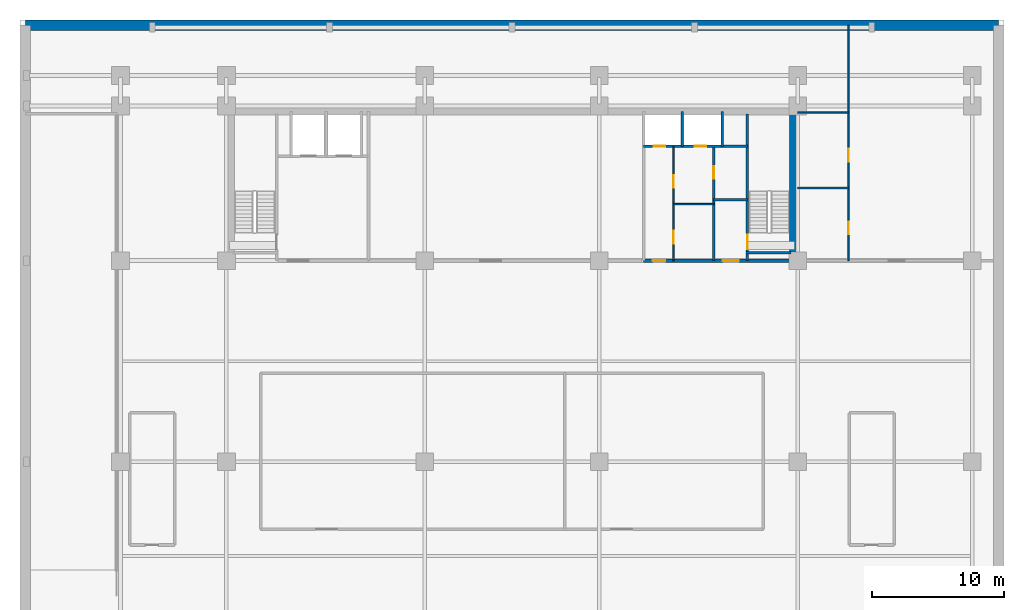
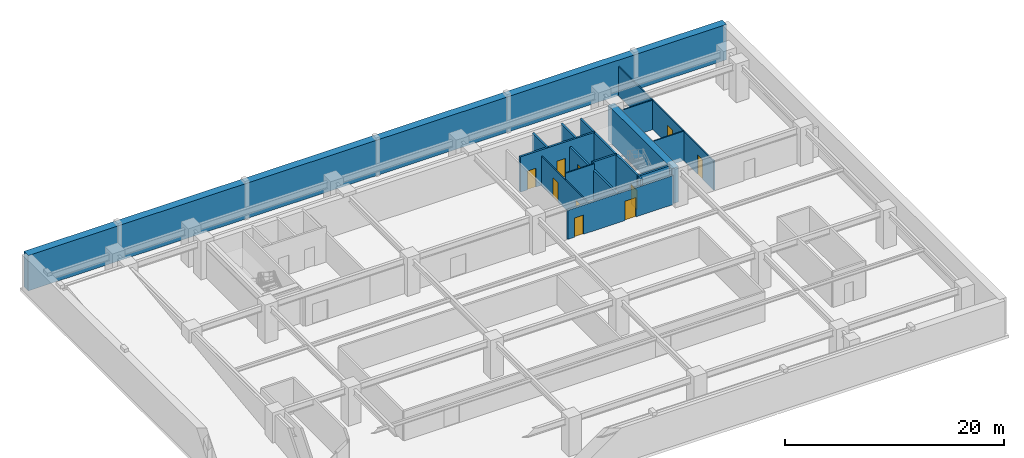
# One storey, part 5 of 8: 15 walls, 10 doors, 10 openings.
"""IFC4 building model written with IfcOpenShell, lengths in metres."""

from ifc_helpers import new_model, si_unit, direction, frame, frame_2d, origin, place, context, subcontext, project, spatial, rectangle, extrude, source, transform, mapped, material, layer, layer_set, type_object, element, fill, save


model = new_model("IFC4")

# Units and contexts
model_context = context("Model", 3, precision=1e-05, world=origin(), true_north=direction((0.0, 1.0)))
body_context = subcontext(model_context, "Body", "Model", "MODEL_VIEW")
ifc_project = project(units=[si_unit("LENGTHUNIT", "METRE"), si_unit("AREAUNIT", "SQUARE_METRE"), si_unit("VOLUMEUNIT", "CUBIC_METRE"), si_unit("PLANEANGLEUNIT", "RADIAN"), si_unit("MASSUNIT", "GRAM", prefix="KILO")], contexts=[model_context])

# Site, building, storey
site_placement = place(None, origin())
site = spatial("IfcSite", under=ifc_project, at=site_placement, CompositionType="ELEMENT")
building_placement = place(site_placement, origin())
building = spatial("IfcBuilding", under=site, at=building_placement, Name="Trelvane Seafront Commons", CompositionType="ELEMENT")
storey_placement = place(building_placement, frame((0.0, 0.0, -4.300048828125)))
storey = spatial("IfcBuildingStorey", under=building, at=storey_placement, Name="B01", CompositionType="ELEMENT", Elevation=-4.300048828125)

# Wall, opening, door
ifc_material_1 = material(Name="Concrete C40/50", Category="concrete")
ifc_layer_1 = layer(ifc_material_1, 0.199951171875, Name="ARCH-WALL-FIRE200")
ifc_layer_set_1 = layer_set([ifc_layer_1], Name="Concrete C40/50")
wall_type_1 = type_object("IfcWallType", Name="ARCH-WALL-FIRE200", PredefinedType="PARTITIONING", material=ifc_layer_set_1)
wall_1_placement = place(storey_placement, frame((52.449951171875, 33.39990234375, 0.0), z_axis=(0.0, 0.0, 1.0), x_axis=(0.0, 1.0, 0.0)))
wall_1 = element("IfcWall", 1, at=wall_1_placement, inside=storey, type_object=wall_type_1, Name="W-B01-ST2V-W-027", PredefinedType="PARTITIONING", context=body_context, shape_type="SweptSolid", body=[
    extrude(rectangle(XDim=8.650146484375, YDim=0.199951171875, at=frame_2d((4.3251953125, 0.0))), origin(), (0.0, 0.0, 1.0), 3.239990234375),
])
opening_1_placement = place(wall_1_placement, frame((6.199951171875, 0.0, 0.0)))
opening_1 = element("IfcOpeningElement", 2, at=opening_1_placement, cuts=wall_1, Name="Opening FD-B01-11", PredefinedType="OPENING", context=body_context, shape_type="SweptSolid", body=[
    extrude(rectangle(XDim=0.949951171875, YDim=2.14990234375, at=frame_2d((0.47509765625, 1.074951171875))), frame((0.0, 0.10986328125, 0.0), z_axis=(0.0, -1.0, 0.0), x_axis=(1.0, 0.0, 0.0)), (0.0, 0.0, 1.0), 0.219970703125),
])
ifc_material_2 = material(Name="Powder-coated aluminium frame", Category="aluminium")
door_type_1 = type_object("IfcDoorType", Name="ARCH-DR-FD60-950", OperationType="NOTDEFINED", PredefinedType="DOOR", material=ifc_material_2)
shared_shape_1 = source(origin(), body_context, "Body", "SweptSolid", [
    extrude(rectangle(XDim=0.949951171875, YDim=2.14990234375, at=frame_2d((0.47509765625, 1.074951171875))), frame((0.0, 0.02490234375, 0.0), z_axis=(0.0, -1.0, 0.0), x_axis=(1.0, 0.0, 0.0)), (0.0, 0.0, 1.0), 0.050048828125),
])
door_1_placement = place(opening_1_placement, origin())
door_1 = element("IfcDoor", 3, at=door_1_placement, inside=storey, type_object=door_type_1, Name="B01 Cleaner Store Door", OperationType="SINGLE_SWING_LEFT", OverallHeight=2.14990234375, OverallWidth=0.949951171875, PredefinedType="DOOR", context=body_context, shape_type="MappedRepresentation", body=[
    mapped(shared_shape_1, transform((0.0, 0.0, 0.0), x_axis=(1.0, 0.0, 0.0), y_axis=(0.0, 1.0, 0.0), z_axis=(0.0, 0.0, 1.0), scale=1.0)),
])
fill(opening_1, door_1)

# Wall
wall_2_placement = place(storey_placement, frame((52.449951171875, 38.0, 0.0), z_axis=(0.0, 0.0, 1.0), x_axis=(1.0, 0.0, 0.0)))
element("IfcWall", 4, at=wall_2_placement, inside=storey, type_object=wall_type_1, Name="W-B01-ST2V-N-028", PredefinedType="PARTITIONING", context=body_context, shape_type="SweptSolid", body=[
    extrude(rectangle(XDim=2.550048828125, YDim=0.199951171875, at=frame_2d((1.27490234375, 0.0))), origin(), (0.0, 0.0, 1.0), 3.93994140625),
])

# Wall, openings, doors
ifc_layer_2 = layer(ifc_material_1, 0.25, Name="ARCH-WALL-FIRE250")
ifc_layer_set_2 = layer_set([ifc_layer_2], Name="Concrete C40/50")
wall_type_2 = type_object("IfcWallType", Name="ARCH-WALL-FIRE250", PredefinedType="PARTITIONING", material=ifc_layer_set_2)
wall_3_placement = place(storey_placement, frame((47.14990234375, 33.39990234375, 0.0), z_axis=(0.0, 0.0, 1.0), x_axis=(1.0, 0.0, 0.0)))
wall_3 = element("IfcWall", 5, at=wall_3_placement, inside=storey, type_object=wall_type_2, Name="W-B01-CS-EAST-031", PredefinedType="PARTITIONING", context=body_context, shape_type="SweptSolid", body=[
    extrude(rectangle(XDim=11.150146484375, YDim=0.25, at=frame_2d((5.5751953125, 0.0))), origin(), (0.0, 0.0, 1.0), 3.239990234375),
])
opening_2_placement = place(wall_3_placement, frame((0.699951171875, 0.0, 0.0)))
opening_2 = element("IfcOpeningElement", 6, at=opening_2_placement, cuts=wall_3, Name="Opening FD-B01-14", PredefinedType="OPENING", context=body_context, shape_type="SweptSolid", body=[
    extrude(rectangle(XDim=0.949951171875, YDim=2.14990234375, at=frame_2d((0.47509765625, 1.074951171875))), frame((0.0, 0.135009765625, 0.0), z_axis=(0.0, -1.0, 0.0), x_axis=(1.0, 0.0, 0.0)), (0.0, 0.0, 1.0), 0.27001953125),
])
opening_3_placement = place(wall_3_placement, frame((6.0, 0.0, 0.0)))
opening_3 = element("IfcOpeningElement", 7, at=opening_3_placement, cuts=wall_3, Name="Opening FD-B01-15", PredefinedType="OPENING", context=body_context, shape_type="SweptSolid", body=[
    extrude(rectangle(XDim=1.199951171875, YDim=2.14990234375, at=frame_2d((0.60009765625, 1.074951171875))), frame((0.0, 0.135009765625, 0.0), z_axis=(0.0, -1.0, 0.0), x_axis=(1.0, 0.0, 0.0)), (0.0, 0.0, 1.0), 0.27001953125),
])
door_2_placement = place(opening_2_placement, origin())
door_2 = element("IfcDoor", 8, at=door_2_placement, inside=storey, type_object=door_type_1, Name="B01 Core Service Lobby Door", OperationType="SINGLE_SWING_RIGHT", OverallHeight=2.14990234375, OverallWidth=0.949951171875, PredefinedType="DOOR", context=body_context, shape_type="MappedRepresentation", body=[
    mapped(shared_shape_1, transform((0.0, 0.0, 0.0), x_axis=(1.0, 0.0, 0.0), y_axis=(0.0, 1.0, 0.0), z_axis=(0.0, 0.0, 1.0), scale=1.0)),
])
fill(opening_2, door_2)
door_type_2 = type_object("IfcDoorType", Name="ARCH-DR-FD60-1200", OperationType="NOTDEFINED", PredefinedType="DOOR", material=ifc_material_2)
shared_shape_2 = source(origin(), body_context, "Body", "SweptSolid", [
    extrude(rectangle(XDim=1.199951171875, YDim=2.14990234375, at=frame_2d((0.60009765625, 1.074951171875))), frame((0.0, 0.02490234375, 0.0), z_axis=(0.0, -1.0, 0.0), x_axis=(1.0, 0.0, 0.0)), (0.0, 0.0, 1.0), 0.050048828125),
])
door_3_placement = place(opening_3_placement, origin())
door_3 = element("IfcDoor", 9, at=door_3_placement, inside=storey, type_object=door_type_2, Name="B01 East Stair Vestibule Fire Door", OperationType="SINGLE_SWING_LEFT", OverallHeight=2.14990234375, OverallWidth=1.199951171875, PredefinedType="DOOR", context=body_context, shape_type="MappedRepresentation", body=[
    mapped(shared_shape_2, transform((0.0, 0.0, 0.0), x_axis=(1.0, 0.0, 0.0), y_axis=(0.0, 1.0, 0.0), z_axis=(0.0, 0.0, 1.0), scale=1.0)),
])
fill(opening_3, door_3)

ifc_material_3 = material(Name="Gypsum Drywall Acoustic Partition")
ifc_layer_3 = layer(ifc_material_3, 0.1201171875, Name="ARCH-WALL-PART120")
ifc_layer_set_3 = layer_set([ifc_layer_3], Name="Gypsum Drywall Acoustic Partition")
wall_type_3 = type_object("IfcWallType", Name="ARCH-WALL-PART120", PredefinedType="PARTITIONING", material=ifc_layer_set_3)
wall_4_placement = place(storey_placement, frame((49.419921875, 33.39990234375, 0.0), z_axis=(0.0, 0.0, 1.0), x_axis=(0.0, 1.0, 0.0)))
wall_4 = element("IfcWall", 10, at=wall_4_placement, inside=storey, type_object=wall_type_3, Name="W-B01-CYC0-V-029", PredefinedType="PARTITIONING", context=body_context, shape_type="SweptSolid", body=[
    extrude(rectangle(XDim=8.60009765625, YDim=0.1201171875, at=frame_2d((4.300048828125, 0.0))), origin(), (0.0, 0.0, 1.0), 3.239990234375),
])
opening_4_placement = place(wall_4_placement, frame((1.300048828125, 0.0, 0.0)))
opening_4 = element("IfcOpeningElement", 11, at=opening_4_placement, cuts=wall_4, Name="Opening D-B01-12", PredefinedType="OPENING", context=body_context, shape_type="SweptSolid", body=[
    extrude(rectangle(XDim=0.949951171875, YDim=2.14990234375, at=frame_2d((0.47509765625, 1.074951171875))), frame((0.0, 0.070068359375, 0.0), z_axis=(0.0, -1.0, 0.0), x_axis=(1.0, 0.0, 0.0)), (0.0, 0.0, 1.0), 0.14013671875),
])
opening_5_placement = place(wall_4_placement, frame((5.5, 0.0, 0.0)))
opening_5 = element("IfcOpeningElement", 12, at=opening_5_placement, cuts=wall_4, Name="Opening D-B01-13", PredefinedType="OPENING", context=body_context, shape_type="SweptSolid", body=[
    extrude(rectangle(XDim=0.949951171875, YDim=2.14990234375, at=frame_2d((0.47509765625, 1.074951171875))), frame((0.0, 0.070068359375, 0.0), z_axis=(0.0, -1.0, 0.0), x_axis=(1.0, 0.0, 0.0)), (0.0, 0.0, 1.0), 0.14013671875),
])
ifc_material_4 = material(Name="Acoustic timber door leaf", Category="wood")
door_type_3 = type_object("IfcDoorType", Name="ARCH-DR-INT950", OperationType="NOTDEFINED", PredefinedType="DOOR", material=ifc_material_4)
door_4_placement = place(opening_4_placement, origin())
door_4 = element("IfcDoor", 13, at=door_4_placement, inside=storey, type_object=door_type_3, Name="B01 Accessible WC Door", OperationType="SINGLE_SWING_RIGHT", OverallHeight=2.14990234375, OverallWidth=0.949951171875, PredefinedType="DOOR", context=body_context, shape_type="MappedRepresentation", body=[
    mapped(shared_shape_1, transform((0.0, 0.0, 0.0), x_axis=(1.0, 0.0, 0.0), y_axis=(0.0, 1.0, 0.0), z_axis=(0.0, 0.0, 1.0), scale=1.0)),
])
fill(opening_4, door_4)
door_5_placement = place(opening_5_placement, origin())
door_5 = element("IfcDoor", 14, at=door_5_placement, inside=storey, type_object=door_type_3, Name="B01 Common WC Door", OperationType="SINGLE_SWING_LEFT", OverallHeight=2.14990234375, OverallWidth=0.949951171875, PredefinedType="DOOR", context=body_context, shape_type="MappedRepresentation", body=[
    mapped(shared_shape_1, transform((0.0, 0.0, 0.0), x_axis=(1.0, 0.0, 0.0), y_axis=(0.0, 1.0, 0.0), z_axis=(0.0, 0.0, 1.0), scale=1.0)),
])
fill(opening_5, door_5)

# Wall
wall_5_placement = place(storey_placement, frame((49.419921875, 37.679931640625, 0.0), z_axis=(0.0, 0.0, 1.0), x_axis=(1.0, 0.0, 0.0)))
element("IfcWall", 15, at=wall_5_placement, inside=storey, type_object=wall_type_3, Name="W-B01-CYC0-H-030", PredefinedType="PARTITIONING", context=body_context, shape_type="SweptSolid", body=[
    extrude(rectangle(XDim=3.030029296875, YDim=0.1201171875, at=frame_2d((1.51513671875, 0.0))), origin(), (0.0, 0.0, 1.0), 3.93994140625),
])

# Wall, openings, doors
wall_6_placement = place(storey_placement, frame((62.64990234375, 33.39990234375, 0.0), z_axis=(0.0, 0.0, 1.0), x_axis=(0.0, 1.0, 0.0)))
wall_6 = element("IfcWall", 16, at=wall_6_placement, inside=storey, type_object=wall_type_3, Name="W-B01-B1-LK-W-032", PredefinedType="PARTITIONING", context=body_context, shape_type="SweptSolid", body=[
    extrude(rectangle(XDim=17.800048828125, YDim=0.1201171875, at=frame_2d((8.89990234375, 0.0))), origin(), (0.0, 0.0, 1.0), 3.239990234375),
])
opening_6_placement = place(wall_6_placement, frame((2.0, 0.0, 0.0)))
opening_6 = element("IfcOpeningElement", 17, at=opening_6_placement, cuts=wall_6, Name="Opening D-B01-16", PredefinedType="OPENING", context=body_context, shape_type="SweptSolid", body=[
    extrude(rectangle(XDim=0.949951171875, YDim=2.14990234375, at=frame_2d((0.47509765625, 1.074951171875))), frame((0.0, 0.070068359375, 0.0), z_axis=(0.0, -1.0, 0.0), x_axis=(1.0, 0.0, 0.0)), (0.0, 0.0, 1.0), 0.14013671875),
])
opening_7_placement = place(wall_6_placement, frame((7.5, 0.0, 0.0)))
opening_7 = element("IfcOpeningElement", 18, at=opening_7_placement, cuts=wall_6, Name="Opening D-B01-17", PredefinedType="OPENING", context=body_context, shape_type="SweptSolid", body=[
    extrude(rectangle(XDim=0.949951171875, YDim=2.14990234375, at=frame_2d((0.47509765625, 1.074951171875))), frame((0.0, 0.070068359375, 0.0), z_axis=(0.0, -1.0, 0.0), x_axis=(1.0, 0.0, 0.0)), (0.0, 0.0, 1.0), 0.14013671875),
])
door_6_placement = place(opening_6_placement, origin())
door_6 = element("IfcDoor", 19, at=door_6_placement, inside=storey, type_object=door_type_3, Name="B01 Accessible WC Door", OperationType="SINGLE_SWING_RIGHT", OverallHeight=2.14990234375, OverallWidth=0.949951171875, PredefinedType="DOOR", context=body_context, shape_type="MappedRepresentation", body=[
    mapped(shared_shape_1, transform((0.0, 0.0, 0.0), x_axis=(1.0, 0.0, 0.0), y_axis=(0.0, 1.0, 0.0), z_axis=(0.0, 0.0, 1.0), scale=1.0)),
])
fill(opening_6, door_6)
door_7_placement = place(opening_7_placement, origin())
door_7 = element("IfcDoor", 20, at=door_7_placement, inside=storey, type_object=door_type_3, Name="B01 Staff WC Door", OperationType="SINGLE_SWING_LEFT", OverallHeight=2.14990234375, OverallWidth=0.949951171875, PredefinedType="DOOR", context=body_context, shape_type="MappedRepresentation", body=[
    mapped(shared_shape_1, transform((0.0, 0.0, 0.0), x_axis=(1.0, 0.0, 0.0), y_axis=(0.0, 1.0, 0.0), z_axis=(0.0, 0.0, 1.0), scale=1.0)),
])
fill(opening_7, door_7)

# Walls
for number, where, z_axis, x_axis, name in (
    (21, (58.800048828125, 38.89990234375, 0.0), (0.0, 0.0, 1.0), (1.0, 0.0, 0.0), "W-B01-B1-AWC-N-033"),
    (22, (58.800048828125, 44.60009765625, 0.0), (0.0, 0.0, 1.0), (1.0, 0.0, 0.0), "W-B01-B1-WC-N-034"),
):
    element("IfcWall", number, at=place(storey_placement, frame(where, z_axis=z_axis, x_axis=x_axis)), inside=storey, type_object=wall_type_3, Name=name, PredefinedType="PARTITIONING", context=body_context, shape_type="SweptSolid", body=[
        extrude(rectangle(XDim=3.849853515625, YDim=0.1201171875, at=frame_2d((1.9248046875, 0.0))), origin(), (0.0, 0.0, 1.0), 3.2900390625),
    ])

# Wall, openings, doors
ifc_layer_4 = layer(ifc_material_1, 0.199951171875, Name="ARCH-WALL-SHAFT200")
ifc_layer_set_4 = layer_set([ifc_layer_4], Name="Concrete C40/50")
wall_type_4 = type_object("IfcWallType", Name="ARCH-WALL-SHAFT200", PredefinedType="SOLIDWALL", material=ifc_layer_set_4)
wall_7_placement = place(storey_placement, frame((47.14990234375, 42.050048828125, 0.0), z_axis=(0.0, 0.0, 1.0), x_axis=(1.0, 0.0, 0.0)))
wall_7 = element("IfcWall", 23, at=wall_7_placement, inside=storey, type_object=wall_type_4, Name="W-B01-RSR-S-024", PredefinedType="SOLIDWALL", context=body_context, shape_type="SweptSolid", body=[
    extrude(rectangle(XDim=7.85009765625, YDim=0.199951171875, at=frame_2d((3.925048828125, 0.0))), origin(), (0.0, 0.0, 1.0), 3.93994140625),
])
opening_8_placement = place(wall_7_placement, frame((0.75, 0.0, 0.0)))
opening_8 = element("IfcOpeningElement", 24, at=opening_8_placement, cuts=wall_7, Name="Opening FD-B01-09", PredefinedType="OPENING", context=body_context, shape_type="SweptSolid", body=[
    extrude(rectangle(XDim=0.89990234375, YDim=2.10009765625, at=frame_2d((0.449951171875, 1.050048828125))), frame((0.0, 0.10986328125, 0.0), z_axis=(0.0, -1.0, 0.0), x_axis=(1.0, 0.0, 0.0)), (0.0, 0.0, 1.0), 0.219970703125),
])
opening_9_placement = place(wall_7_placement, frame((3.85009765625, 0.0, 0.0)))
opening_9 = element("IfcOpeningElement", 25, at=opening_9_placement, cuts=wall_7, Name="Opening FD-B01-10", PredefinedType="OPENING", context=body_context, shape_type="SweptSolid", body=[
    extrude(rectangle(XDim=0.89990234375, YDim=2.10009765625, at=frame_2d((0.449951171875, 1.050048828125))), frame((0.0, 0.10986328125, 0.0), z_axis=(0.0, -1.0, 0.0), x_axis=(1.0, 0.0, 0.0)), (0.0, 0.0, 1.0), 0.219970703125),
])
door_type_4 = type_object("IfcDoorType", Name="ARCH-DR-FD60-900", OperationType="NOTDEFINED", PredefinedType="DOOR", material=ifc_material_2)
shared_shape_3 = source(origin(), body_context, "Body", "SweptSolid", [
    extrude(rectangle(XDim=0.89990234375, YDim=2.10009765625, at=frame_2d((0.449951171875, 1.050048828125))), frame((0.0, 0.02490234375, 0.0), z_axis=(0.0, -1.0, 0.0), x_axis=(1.0, 0.0, 0.0)), (0.0, 0.0, 1.0), 0.050048828125),
])
door_8_placement = place(opening_8_placement, origin())
door_8 = element("IfcDoor", 26, at=door_8_placement, inside=storey, type_object=door_type_4, Name="B01 Electrical Riser Access Door", OperationType="SINGLE_SWING_LEFT", OverallHeight=2.10009765625, OverallWidth=0.89990234375, PredefinedType="DOOR", context=body_context, shape_type="MappedRepresentation", body=[
    mapped(shared_shape_3, transform((0.0, 0.0, 0.0), x_axis=(1.0, 0.0, 0.0), y_axis=(0.0, 1.0, 0.0), z_axis=(0.0, 0.0, 1.0), scale=1.0)),
])
fill(opening_8, door_8)
door_9_placement = place(opening_9_placement, origin())
door_9 = element("IfcDoor", 27, at=door_9_placement, inside=storey, type_object=door_type_4, Name="B01 Mechanical Riser Access Door", OperationType="SINGLE_SWING_RIGHT", OverallHeight=2.10009765625, OverallWidth=0.89990234375, PredefinedType="DOOR", context=body_context, shape_type="MappedRepresentation", body=[
    mapped(shared_shape_3, transform((0.0, 0.0, 0.0), x_axis=(1.0, 0.0, 0.0), y_axis=(0.0, 1.0, 0.0), z_axis=(0.0, 0.0, 1.0), scale=1.0)),
])
fill(opening_9, door_9)

# Walls
for number, where, z_axis, x_axis, name in (
    (28, (50.080078125, 42.050048828125, 0.0), (0.0, 0.0, 1.0), (0.0, 1.0, 0.0), "W-B01-RSR-DIV-025"),
    (29, (53.10009765625, 42.050048828125, 0.0), (0.0, 0.0, 1.0), (0.0, 1.0, 0.0), "W-B01-RSR-E-026"),
):
    element("IfcWall", number, at=place(storey_placement, frame(where, z_axis=z_axis, x_axis=x_axis)), inside=storey, type_object=wall_type_4, Name=name, PredefinedType="SOLIDWALL", context=body_context, shape_type="SweptSolid", body=[
        extrude(rectangle(XDim=2.64990234375, YDim=0.199951171875, at=frame_2d((1.324951171875, 0.0))), origin(), (0.0, 0.0, 1.0), 3.93994140625),
    ])
ifc_material_5 = material(Name="Concrete C60/75", Category="concrete")
ifc_layer_5 = layer(ifc_material_5, 0.699951171875, Name="STR-WALL-CORE700")
ifc_layer_set_5 = layer_set([ifc_layer_5], Name="Concrete C60/75")
wall_type_5 = type_object("IfcWallType", Name="STR-WALL-CORE700", PredefinedType="SHEAR", material=ifc_layer_set_5)
wall_8_placement = place(storey_placement, frame((58.550048828125, 33.39990234375, 0.0), z_axis=(0.0, 0.0, 1.0), x_axis=(0.0, 1.0, 0.0)))
element("IfcWall", 30, at=wall_8_placement, inside=storey, type_object=wall_type_5, Name="W-B01-CE-END-003", PredefinedType="SHEAR", context=body_context, shape_type="SweptSolid", body=[
    extrude(rectangle(XDim=11.7001953125, YDim=0.699951171875, at=frame_2d((5.85009765625, 0.0))), origin(), (0.0, 0.0, 1.0), 3.93994140625),
])
ifc_material_6 = material(Name="Concrete C50/60", Category="concrete")
ifc_layer_6 = layer(ifc_material_6, 0.800048828125, Name="STR-WALL-RET800")
ifc_layer_set_6 = layer_set([ifc_layer_6], Name="Concrete C50/60")
wall_type_6 = type_object("IfcWallType", Name="STR-WALL-RET800", PredefinedType="USERDEFINED", material=ifc_layer_set_6)
wall_9_placement = place(storey_placement, frame((74.0, 51.199951171875, 0.0), z_axis=(0.0, 0.0, 1.0), x_axis=(-1.0, 0.0, 0.0)))
element("IfcWall", 31, at=wall_9_placement, inside=storey, type_object=wall_type_6, Name="RET-B01-11", ObjectType="RETAINING WALL", PredefinedType="USERDEFINED", context=body_context, shape_type="SweptSolid", body=[
    extrude(rectangle(XDim=73.60009765625, YDim=0.800048828125, at=frame_2d((36.800048828125, 0.0))), origin(), (0.0, 0.0, 1.0), 3.93994140625),
])
ifc_layer_7 = layer(ifc_material_6, 0.199951171875, Name="STR-WALL-STAIR200")
ifc_layer_set_7 = layer_set([ifc_layer_7], Name="Concrete C50/60")
wall_type_7 = type_object("IfcWallType", Name="STR-WALL-STAIR200", PredefinedType="SHEAR", material=ifc_layer_set_7)
wall_10_placement = place(storey_placement, frame((54.89990234375, 34.0, 0.0), z_axis=(0.0, 0.0, 1.0), x_axis=(1.0, 0.0, 0.0)))
element("IfcWall", 32, at=wall_10_placement, inside=storey, type_object=wall_type_7, Name="W-B01-ST2-S-006", PredefinedType="SHEAR", context=body_context, shape_type="SweptSolid", body=[
    extrude(rectangle(XDim=3.400146484375, YDim=0.199951171875, at=frame_2d((1.7001953125, 0.0))), origin(), (0.0, 0.0, 1.0), 3.93994140625),
])

# Wall, opening, door
wall_11_placement = place(storey_placement, frame((55.0, 33.39990234375, 0.0), z_axis=(0.0, 0.0, 1.0), x_axis=(0.0, 1.0, 0.0)))
wall_11 = element("IfcWall", 33, at=wall_11_placement, inside=storey, type_object=wall_type_7, Name="W-B01-ST2-W-007", PredefinedType="SHEAR", context=body_context, shape_type="SweptSolid", body=[
    extrude(rectangle(XDim=11.10009765625, YDim=0.199951171875, at=frame_2d((5.550048828125, 0.0))), origin(), (0.0, 0.0, 1.0), 3.93994140625),
])
opening_10_placement = place(wall_11_placement, frame((0.85009765625, 0.0, 0.0)))
opening_10 = element("IfcOpeningElement", 34, at=opening_10_placement, cuts=wall_11, Name="Opening ST-D2-B01", PredefinedType="OPENING", context=body_context, shape_type="SweptSolid", body=[
    extrude(rectangle(XDim=1.10009765625, YDim=2.14990234375, at=frame_2d((0.550048828125, 1.074951171875))), frame((0.0, 0.10986328125, 0.0), z_axis=(0.0, -1.0, 0.0), x_axis=(1.0, 0.0, 0.0)), (0.0, 0.0, 1.0), 0.219970703125),
])
door_type_5 = type_object("IfcDoorType", Name="ARCH-DR-FD90-1100", OperationType="NOTDEFINED", PredefinedType="DOOR", material=ifc_material_2)
shared_shape_4 = source(origin(), body_context, "Body", "SweptSolid", [
    extrude(rectangle(XDim=1.10009765625, YDim=2.14990234375, at=frame_2d((0.550048828125, 1.074951171875))), frame((0.0, 0.02490234375, 0.0), z_axis=(0.0, -1.0, 0.0), x_axis=(1.0, 0.0, 0.0)), (0.0, 0.0, 1.0), 0.050048828125),
])
door_10_placement = place(opening_10_placement, origin())
door_10 = element("IfcDoor", 35, at=door_10_placement, inside=storey, type_object=door_type_5, Name="B01 Stair ST-2 Vestibule Fire Door", OperationType="SINGLE_SWING_RIGHT", OverallHeight=2.14990234375, OverallWidth=1.10009765625, PredefinedType="DOOR", context=body_context, shape_type="MappedRepresentation", body=[
    mapped(shared_shape_4, transform((0.0, 0.0, 0.0), x_axis=(1.0, 0.0, 0.0), y_axis=(0.0, 1.0, 0.0), z_axis=(0.0, 0.0, 1.0), scale=1.0)),
])
fill(opening_10, door_10)

save(model, "model.ifc")
